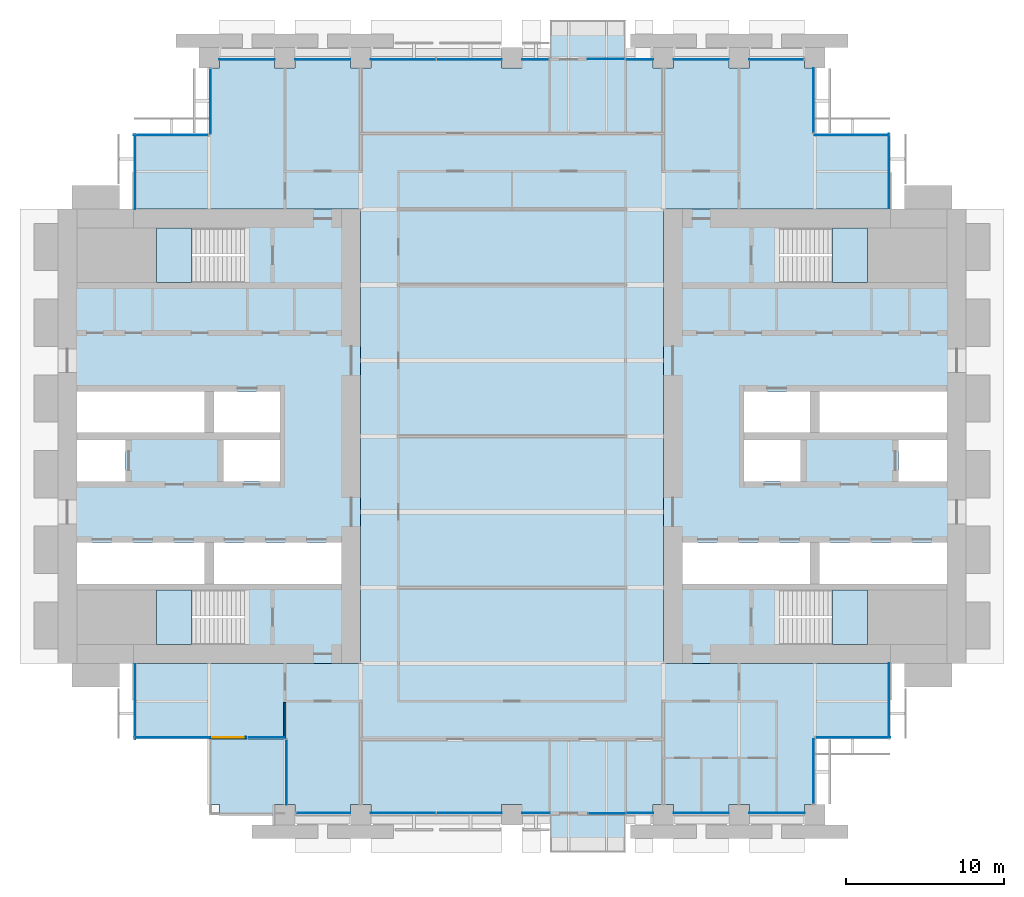
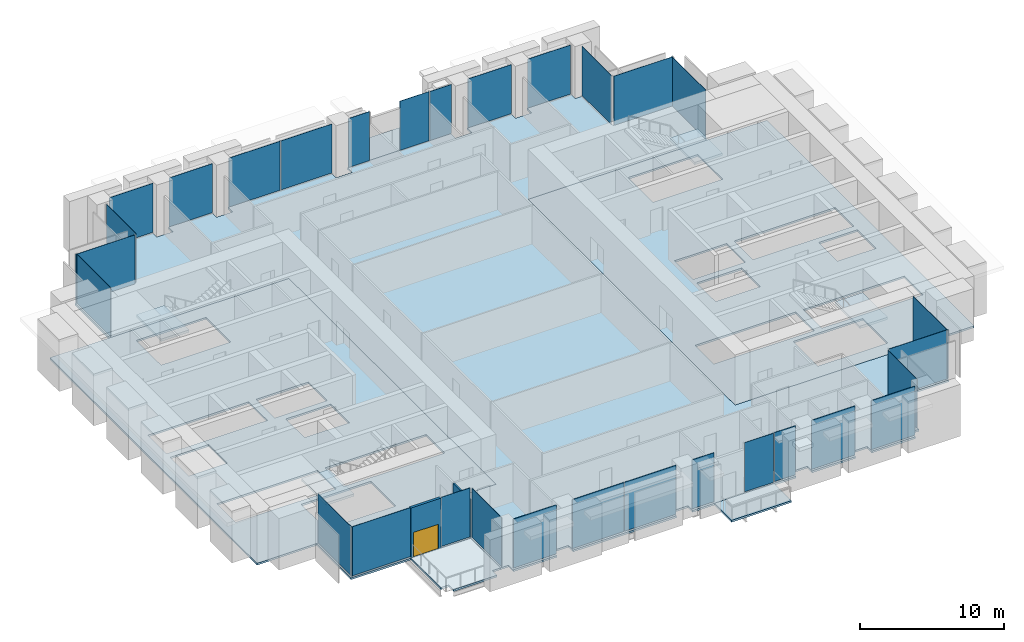
# One storey, part 8 of 15: 30 plates, 10 slabs, 2 walls, 1 door, 1 opening, 23 elements without a shape of their own.
"""IFC4 building model written with IfcOpenShell, lengths in metres."""

from ifc_helpers import new_model, si_unit, direction, frame, frame_2d, origin, origin_2d, place, context, subcontext, project, spatial, polyline, rectangle, outline, extrude, material, layer, layer_set, type_object, element, fill, aggregate, save


model = new_model("IFC4")

# Units and contexts
model_context = context("Model", 3, precision=1e-05, world=origin(), true_north=direction((0.0, 1.0)))
body_context = subcontext(model_context, "Body", "Model", "MODEL_VIEW")
ifc_project = project(units=[si_unit("LENGTHUNIT", "METRE"), si_unit("AREAUNIT", "SQUARE_METRE"), si_unit("VOLUMEUNIT", "CUBIC_METRE"), si_unit("PLANEANGLEUNIT", "RADIAN"), si_unit("MASSUNIT", "GRAM", prefix="KILO")], contexts=[model_context])

# Site, building, storey
site_placement = place(None, origin())
site = spatial("IfcSite", under=ifc_project, at=site_placement, CompositionType="ELEMENT")
building_placement = place(site_placement, origin())
building = spatial("IfcBuilding", under=site, at=building_placement, Name="Baori Bourse Tower", CompositionType="ELEMENT")
storey_placement = place(building_placement, frame((0.0, 0.0, 34.60009765625)))
storey = spatial("IfcBuildingStorey", under=building, at=storey_placement, Name="L06", CompositionType="ELEMENT", Elevation=34.60009765625)

# Slabs
ifc_material_1 = material(Name="Concrete f'c 40 MPa", Category="concrete")
ifc_layer_1 = layer(ifc_material_1, 0.159912109375)
ifc_layer_set_1 = layer_set([ifc_layer_1], Name="BL2 Balcony slab 160")
slab_type_1 = type_object("IfcSlabType", Name="BL2 Balcony slab 160", PredefinedType="FLOOR", material=ifc_layer_set_1)
slab_1_placement = place(storey_placement, frame((0.0, 0.0, -0.16015625)))
element("IfcSlab", 1, at=slab_1_placement, inside=storey, type_object=slab_type_1, Name="Balcony slab L06 S", PredefinedType="FLOOR", context=body_context, shape_type="SweptSolid", body=[
    extrude(outline(polyline([(31.199951171875, 0.0), (31.199951171875, -2.39990234375), (36.0, -2.39990234375), (36.0, 0.0), (31.199951171875, 0.0)])), origin(), (0.0, 0.0, 1.0), 0.16015625),
])
slab_2_placement = place(storey_placement, frame((0.0, 0.0, -0.16015625)))
element("IfcSlab", 2, at=slab_2_placement, inside=storey, type_object=slab_type_1, Name="Balcony slab L06 N", PredefinedType="FLOOR", context=body_context, shape_type="SweptSolid", body=[
    extrude(outline(polyline([(31.199951171875, 48.0), (36.0, 48.0), (36.0, 50.39990234375), (31.199951171875, 50.39990234375), (31.199951171875, 48.0)])), origin(), (0.0, 0.0, 1.0), 0.16015625),
])

# Curtain wall, plates
ifc_material_2 = material(Name="Pale anodised aluminium", Category="aluminium")
curtain_wall_type_1 = type_object("IfcCurtainWallType", Name="CW1 Curtain wall", PredefinedType="NOTDEFINED", material=ifc_material_2)
curtain_wall_1_placement = place(storey_placement, origin())
curtain_wall_1 = element("IfcCurtainWall", 3, at=curtain_wall_1_placement, inside=storey, type_object=curtain_wall_type_1, Name="Curtain wall CW1 L06 4", PredefinedType="NOTDEFINED")
ifc_material_3 = material(Name="Clear glass", Category="glass")
ifc_layer_2 = layer(ifc_material_3, 0.033935546875)
ifc_layer_set_2 = layer_set([ifc_layer_2], Name="CW1 Curtain wall panel")
plate_type_1 = type_object("IfcPlateType", Name="CW1 Curtain wall panel", PredefinedType="CURTAIN_PANEL", material=ifc_layer_set_2)
plate_1_placement = place(storey_placement, frame((45.570068359375, 47.89990234375, 0.080078125), z_axis=(0.0, 0.0, 1.0), x_axis=(-1.0, 0.0, 0.0)))
plate_1 = element("IfcPlate", 4, at=plate_1_placement, type_object=plate_type_1, Name="Curtain wall CW1 panel", PredefinedType="CURTAIN_PANEL", context=body_context, shape_type="SweptSolid", body=[
    extrude(rectangle(XDim=3.43994140625, YDim=0.033935546875, at=origin_2d()), origin(), (0.0, 0.0, 1.0), 4.159912109375),
])
plate_2_placement = place(storey_placement, frame((40.800048828125, 47.89990234375, 0.080078125), z_axis=(0.0, 0.0, 1.0), x_axis=(-1.0, 0.0, 0.0)))
plate_2 = element("IfcPlate", 5, at=plate_2_placement, type_object=plate_type_1, Name="Curtain wall CW1 panel", PredefinedType="CURTAIN_PANEL", context=body_context, shape_type="SweptSolid", body=[
    extrude(rectangle(XDim=3.5, YDim=0.033935546875, at=origin_2d()), origin(), (0.0, 0.0, 1.0), 4.159912109375),
])
plate_3_placement = place(storey_placement, frame((36.875, 47.89990234375, 0.080078125), z_axis=(0.0, 0.0, 1.0), x_axis=(-1.0, 0.0, 0.0)))
plate_3 = element("IfcPlate", 6, at=plate_3_placement, type_object=plate_type_1, Name="Curtain wall CW1 panel", PredefinedType="CURTAIN_PANEL", context=body_context, shape_type="SweptSolid", body=[
    extrude(rectangle(XDim=1.75, YDim=0.033935546875, at=origin_2d()), origin(), (0.0, 0.0, 1.0), 4.159912109375),
])
aggregate(curtain_wall_1, [plate_1, plate_2, plate_3])

curtain_wall_2_placement = place(storey_placement, origin())
curtain_wall_2 = element("IfcCurtainWall", 7, at=curtain_wall_2_placement, inside=storey, type_object=curtain_wall_type_1, Name="Curtain wall CW1 L06 6", PredefinedType="NOTDEFINED")
plate_4_placement = place(storey_placement, frame((30.294921875, 47.89990234375, 0.080078125), z_axis=(0.0, 0.0, 1.0), x_axis=(-1.0, 0.0, 0.0)))
plate_4 = element("IfcPlate", 8, at=plate_4_placement, type_object=plate_type_1, Name="Curtain wall CW1 panel", PredefinedType="CURTAIN_PANEL", context=body_context, shape_type="SweptSolid", body=[
    extrude(rectangle(XDim=1.68994140625, YDim=0.033935546875, at=origin_2d()), origin(), (0.0, 0.0, 1.0), 4.159912109375),
])
plate_5_placement = place(storey_placement, frame((26.090087890625, 47.89990234375, 0.080078125), z_axis=(0.0, 0.0, 1.0), x_axis=(-1.0, 0.0, 0.0)))
plate_5 = element("IfcPlate", 9, at=plate_5_placement, type_object=plate_type_1, Name="Curtain wall CW1 panel", PredefinedType="CURTAIN_PANEL", context=body_context, shape_type="SweptSolid", body=[
    extrude(rectangle(XDim=4.1201171875, YDim=0.033935546875, at=origin_2d()), origin(), (0.0, 0.0, 1.0), 4.159912109375),
])
plate_6_placement = place(storey_placement, frame((21.909912109375, 47.89990234375, 0.080078125), z_axis=(0.0, 0.0, 1.0), x_axis=(-1.0, 0.0, 0.0)))
plate_6 = element("IfcPlate", 10, at=plate_6_placement, type_object=plate_type_1, Name="Curtain wall CW1 panel", PredefinedType="CURTAIN_PANEL", context=body_context, shape_type="SweptSolid", body=[
    extrude(rectangle(XDim=4.1201171875, YDim=0.033935546875, at=origin_2d()), origin(), (0.0, 0.0, 1.0), 4.159912109375),
])
plate_7_placement = place(storey_placement, frame((16.800048828125, 47.89990234375, 0.080078125), z_axis=(0.0, 0.0, 1.0), x_axis=(-1.0, 0.0, 0.0)))
plate_7 = element("IfcPlate", 11, at=plate_7_placement, type_object=plate_type_1, Name="Curtain wall CW1 panel", PredefinedType="CURTAIN_PANEL", context=body_context, shape_type="SweptSolid", body=[
    extrude(rectangle(XDim=3.5, YDim=0.033935546875, at=origin_2d()), origin(), (0.0, 0.0, 1.0), 4.159912109375),
])
plate_8_placement = place(storey_placement, frame((12.0, 47.89990234375, 0.080078125), z_axis=(0.0, 0.0, 1.0), x_axis=(-1.0, 0.0, 0.0)))
plate_8 = element("IfcPlate", 12, at=plate_8_placement, type_object=plate_type_1, Name="Curtain wall CW1 panel", PredefinedType="CURTAIN_PANEL", context=body_context, shape_type="SweptSolid", body=[
    extrude(rectangle(XDim=3.5, YDim=0.033935546875, at=origin_2d()), origin(), (0.0, 0.0, 1.0), 4.159912109375),
])
aggregate(curtain_wall_2, [plate_4, plate_5, plate_6, plate_7, plate_8])

curtain_wall_3_placement = place(storey_placement, origin())
curtain_wall_3 = element("IfcCurtainWall", 13, at=curtain_wall_3_placement, inside=storey, type_object=curtain_wall_type_1, Name="Curtain wall CW1 L06 14", PredefinedType="NOTDEFINED")
plate_9_placement = place(storey_placement, frame((16.830078125, 0.10009765625, 0.080078125), z_axis=(0.0, 0.0, 1.0), x_axis=(1.0, 0.0, 0.0)))
plate_9 = element("IfcPlate", 14, at=plate_9_placement, type_object=plate_type_1, Name="Curtain wall CW1 panel", PredefinedType="CURTAIN_PANEL", context=body_context, shape_type="SweptSolid", body=[
    extrude(rectangle(XDim=3.43994140625, YDim=0.033935546875, at=origin_2d()), origin(), (0.0, 0.0, 1.0), 4.159912109375),
])
plate_10_placement = place(storey_placement, frame((21.909912109375, 0.10009765625, 0.080078125), z_axis=(0.0, 0.0, 1.0), x_axis=(1.0, 0.0, 0.0)))
plate_10 = element("IfcPlate", 15, at=plate_10_placement, type_object=plate_type_1, Name="Curtain wall CW1 panel", PredefinedType="CURTAIN_PANEL", context=body_context, shape_type="SweptSolid", body=[
    extrude(rectangle(XDim=4.1201171875, YDim=0.033935546875, at=origin_2d()), origin(), (0.0, 0.0, 1.0), 4.159912109375),
])
plate_11_placement = place(storey_placement, frame((26.090087890625, 0.10009765625, 0.080078125), z_axis=(0.0, 0.0, 1.0), x_axis=(1.0, 0.0, 0.0)))
plate_11 = element("IfcPlate", 16, at=plate_11_placement, type_object=plate_type_1, Name="Curtain wall CW1 panel", PredefinedType="CURTAIN_PANEL", context=body_context, shape_type="SweptSolid", body=[
    extrude(rectangle(XDim=4.1201171875, YDim=0.033935546875, at=origin_2d()), origin(), (0.0, 0.0, 1.0), 4.159912109375),
])
plate_12_placement = place(storey_placement, frame((30.324951171875, 0.10009765625, 0.080078125), z_axis=(0.0, 0.0, 1.0), x_axis=(1.0, 0.0, 0.0)))
plate_12 = element("IfcPlate", 17, at=plate_12_placement, type_object=plate_type_1, Name="Curtain wall CW1 panel", PredefinedType="CURTAIN_PANEL", context=body_context, shape_type="SweptSolid", body=[
    extrude(rectangle(XDim=1.75, YDim=0.033935546875, at=origin_2d()), origin(), (0.0, 0.0, 1.0), 4.159912109375),
])
aggregate(curtain_wall_3, [plate_9, plate_10, plate_11, plate_12])

curtain_wall_4_placement = place(storey_placement, origin())
curtain_wall_4 = element("IfcCurtainWall", 18, at=curtain_wall_4_placement, inside=storey, type_object=curtain_wall_type_1, Name="Curtain wall CW1 L06 16", PredefinedType="NOTDEFINED")
plate_13_placement = place(storey_placement, frame((36.905029296875, 0.10009765625, 0.080078125), z_axis=(0.0, 0.0, 1.0), x_axis=(1.0, 0.0, 0.0)))
plate_13 = element("IfcPlate", 19, at=plate_13_placement, type_object=plate_type_1, Name="Curtain wall CW1 panel", PredefinedType="CURTAIN_PANEL", context=body_context, shape_type="SweptSolid", body=[
    extrude(rectangle(XDim=1.68994140625, YDim=0.033935546875, at=origin_2d()), origin(), (0.0, 0.0, 1.0), 4.159912109375),
])
plate_14_placement = place(storey_placement, frame((40.800048828125, 0.10009765625, 0.080078125), z_axis=(0.0, 0.0, 1.0), x_axis=(1.0, 0.0, 0.0)))
plate_14 = element("IfcPlate", 20, at=plate_14_placement, type_object=plate_type_1, Name="Curtain wall CW1 panel", PredefinedType="CURTAIN_PANEL", context=body_context, shape_type="SweptSolid", body=[
    extrude(rectangle(XDim=3.5, YDim=0.033935546875, at=origin_2d()), origin(), (0.0, 0.0, 1.0), 4.159912109375),
])
plate_15_placement = place(storey_placement, frame((45.60009765625, 0.10009765625, 0.080078125), z_axis=(0.0, 0.0, 1.0), x_axis=(1.0, 0.0, 0.0)))
plate_15 = element("IfcPlate", 21, at=plate_15_placement, type_object=plate_type_1, Name="Curtain wall CW1 panel", PredefinedType="CURTAIN_PANEL", context=body_context, shape_type="SweptSolid", body=[
    extrude(rectangle(XDim=3.5, YDim=0.033935546875, at=origin_2d()), origin(), (0.0, 0.0, 1.0), 4.159912109375),
])
aggregate(curtain_wall_4, [plate_13, plate_14, plate_15])

# Curtain wall, plate
ifc_material_4 = material(Name="Pale anodised aluminium", Category="aluminium")
curtain_wall_type_2 = type_object("IfcCurtainWallType", Name="CW2 Curtain wall", PredefinedType="NOTDEFINED", material=ifc_material_4)
curtain_wall_5_placement = place(storey_placement, origin())
curtain_wall_5 = element("IfcCurtainWall", 22, at=curtain_wall_5_placement, inside=storey, type_object=curtain_wall_type_2, Name="Curtain wall CW2 L06 1", PredefinedType="NOTDEFINED")
ifc_material_5 = material(Name="Clear glass", Category="glass")
ifc_layer_3 = layer(ifc_material_5, 0.030029296875)
ifc_layer_set_3 = layer_set([ifc_layer_3], Name="CW2 Curtain wall panel")
plate_type_2 = type_object("IfcPlateType", Name="CW2 Curtain wall panel", PredefinedType="CURTAIN_PANEL", material=ifc_layer_set_3)
plate_16_placement = place(storey_placement, frame((52.7099609375, 40.827392578125, 0.06982421875), z_axis=(0.0, 0.0, 1.0), x_axis=(0.0, 1.0, 0.0)))
plate_16 = element("IfcPlate", 23, at=plate_16_placement, type_object=plate_type_2, Name="Curtain wall CW2 panel", PredefinedType="CURTAIN_PANEL", context=body_context, shape_type="SweptSolid", body=[
    extrude(rectangle(XDim=4.7451171875, YDim=0.030029296875, at=origin_2d()), origin(), (0.0, 0.0, 1.0), 4.169921875),
])
aggregate(curtain_wall_5, [plate_16])

curtain_wall_6_placement = place(storey_placement, origin())
curtain_wall_6 = element("IfcCurtainWall", 24, at=curtain_wall_6_placement, inside=storey, type_object=curtain_wall_type_2, Name="Curtain wall CW2 L06 2", PredefinedType="NOTDEFINED")
plate_17_placement = place(storey_placement, frame((50.37255859375, 43.110107421875, 0.06982421875), z_axis=(0.0, 0.0, 1.0), x_axis=(-1.0, 0.0, 0.0)))
plate_17 = element("IfcPlate", 25, at=plate_17_placement, type_object=plate_type_2, Name="Curtain wall CW2 panel", PredefinedType="CURTAIN_PANEL", context=body_context, shape_type="SweptSolid", body=[
    extrude(rectangle(XDim=4.7451171875, YDim=0.030029296875, at=origin_2d()), origin(), (0.0, 0.0, 1.0), 4.169921875),
])
aggregate(curtain_wall_6, [plate_17])

curtain_wall_7_placement = place(storey_placement, origin())
curtain_wall_7 = element("IfcCurtainWall", 26, at=curtain_wall_7_placement, inside=storey, type_object=curtain_wall_type_2, Name="Curtain wall CW2 L06 3", PredefinedType="NOTDEFINED")
plate_18_placement = place(storey_placement, frame((47.909912109375, 45.302490234375, 0.06982421875), z_axis=(0.0, 0.0, 1.0), x_axis=(0.0, 1.0, 0.0)))
plate_18 = element("IfcPlate", 27, at=plate_18_placement, type_object=plate_type_2, Name="Curtain wall CW2 panel", PredefinedType="CURTAIN_PANEL", context=body_context, shape_type="SweptSolid", body=[
    extrude(rectangle(XDim=4.094970703125, YDim=0.030029296875, at=origin_2d()), origin(), (0.0, 0.0, 1.0), 4.169921875),
])
aggregate(curtain_wall_7, [plate_18])

curtain_wall_8_placement = place(storey_placement, origin())
curtain_wall_8 = element("IfcCurtainWall", 28, at=curtain_wall_8_placement, inside=storey, type_object=curtain_wall_type_2, Name="Curtain wall CW2 L06 7", PredefinedType="NOTDEFINED")
plate_19_placement = place(storey_placement, frame((9.68994140625, 45.24755859375, 0.06982421875), z_axis=(0.0, 0.0, 1.0), x_axis=(0.0, -1.0, 0.0)))
plate_19 = element("IfcPlate", 29, at=plate_19_placement, type_object=plate_type_2, Name="Curtain wall CW2 panel", PredefinedType="CURTAIN_PANEL", context=body_context, shape_type="SweptSolid", body=[
    extrude(rectangle(XDim=4.094970703125, YDim=0.030029296875, at=origin_2d()), origin(), (0.0, 0.0, 1.0), 4.169921875),
])
aggregate(curtain_wall_8, [plate_19])

curtain_wall_9_placement = place(storey_placement, origin())
curtain_wall_9 = element("IfcCurtainWall", 30, at=curtain_wall_9_placement, inside=storey, type_object=curtain_wall_type_2, Name="Curtain wall CW2 L06 8", PredefinedType="NOTDEFINED")
plate_20_placement = place(storey_placement, frame((7.172607421875, 43.110107421875, 0.06982421875), z_axis=(0.0, 0.0, 1.0), x_axis=(-1.0, 0.0, 0.0)))
plate_20 = element("IfcPlate", 31, at=plate_20_placement, type_object=plate_type_2, Name="Curtain wall CW2 panel", PredefinedType="CURTAIN_PANEL", context=body_context, shape_type="SweptSolid", body=[
    extrude(rectangle(XDim=4.7451171875, YDim=0.030029296875, at=origin_2d()), origin(), (0.0, 0.0, 1.0), 4.169921875),
])
aggregate(curtain_wall_9, [plate_20])

curtain_wall_10_placement = place(storey_placement, origin())
curtain_wall_10 = element("IfcCurtainWall", 32, at=curtain_wall_10_placement, inside=storey, type_object=curtain_wall_type_2, Name="Curtain wall CW2 L06 9", PredefinedType="NOTDEFINED")
plate_21_placement = place(storey_placement, frame((4.889892578125, 40.7724609375, 0.06982421875), z_axis=(0.0, 0.0, 1.0), x_axis=(0.0, -1.0, 0.0)))
plate_21 = element("IfcPlate", 33, at=plate_21_placement, type_object=plate_type_2, Name="Curtain wall CW2 panel", PredefinedType="CURTAIN_PANEL", context=body_context, shape_type="SweptSolid", body=[
    extrude(rectangle(XDim=4.7451171875, YDim=0.030029296875, at=origin_2d()), origin(), (0.0, 0.0, 1.0), 4.169921875),
])
aggregate(curtain_wall_10, [plate_21])

curtain_wall_11_placement = place(storey_placement, origin())
curtain_wall_11 = element("IfcCurtainWall", 34, at=curtain_wall_11_placement, inside=storey, type_object=curtain_wall_type_2, Name="Curtain wall CW2 L06 10", PredefinedType="NOTDEFINED")
plate_22_placement = place(storey_placement, frame((4.889892578125, 7.172607421875, 0.06982421875), z_axis=(0.0, 0.0, 1.0), x_axis=(0.0, -1.0, 0.0)))
plate_22 = element("IfcPlate", 35, at=plate_22_placement, type_object=plate_type_2, Name="Curtain wall CW2 panel", PredefinedType="CURTAIN_PANEL", context=body_context, shape_type="SweptSolid", body=[
    extrude(rectangle(XDim=4.7451171875, YDim=0.030029296875, at=origin_2d()), origin(), (0.0, 0.0, 1.0), 4.169921875),
])
aggregate(curtain_wall_11, [plate_22])

curtain_wall_12_placement = place(storey_placement, origin())
curtain_wall_12 = element("IfcCurtainWall", 36, at=curtain_wall_12_placement, inside=storey, type_object=curtain_wall_type_2, Name="Curtain wall CW2 L06 11", PredefinedType="NOTDEFINED")
plate_23_placement = place(storey_placement, frame((7.2275390625, 4.889892578125, 0.06982421875), z_axis=(0.0, 0.0, 1.0), x_axis=(1.0, 0.0, 0.0)))
plate_23 = element("IfcPlate", 37, at=plate_23_placement, type_object=plate_type_2, Name="Curtain wall CW2 panel", PredefinedType="CURTAIN_PANEL", context=body_context, shape_type="SweptSolid", body=[
    extrude(rectangle(XDim=4.7451171875, YDim=0.030029296875, at=origin_2d()), origin(), (0.0, 0.0, 1.0), 4.169921875),
])
aggregate(curtain_wall_12, [plate_23])

curtain_wall_13_placement = place(storey_placement, origin())
curtain_wall_13 = element("IfcCurtainWall", 38, at=curtain_wall_13_placement, inside=storey, type_object=curtain_wall_type_2, Name="Curtain wall CW2 L06 12", PredefinedType="NOTDEFINED")
plate_24_placement = place(storey_placement, frame((13.2275390625, 4.889892578125, 0.06982421875), z_axis=(0.0, 0.0, 1.0), x_axis=(1.0, 0.0, 0.0)))
plate_24 = element("IfcPlate", 39, at=plate_24_placement, type_object=plate_type_2, Name="Curtain wall CW2 panel", PredefinedType="CURTAIN_PANEL", context=body_context, shape_type="SweptSolid", body=[
    extrude(rectangle(XDim=2.344970703125, YDim=0.030029296875, at=origin_2d()), origin(), (0.0, 0.0, 1.0), 4.169921875),
])
aggregate(curtain_wall_13, [plate_24])

curtain_wall_14_placement = place(storey_placement, origin())
curtain_wall_14 = element("IfcCurtainWall", 40, at=curtain_wall_14_placement, inside=storey, type_object=curtain_wall_type_2, Name="Curtain wall CW2 L06 13", PredefinedType="NOTDEFINED")
plate_25_placement = place(storey_placement, frame((14.489990234375, 2.697509765625, 0.06982421875), z_axis=(0.0, 0.0, 1.0), x_axis=(0.0, -1.0, 0.0)))
plate_25 = element("IfcPlate", 41, at=plate_25_placement, type_object=plate_type_2, Name="Curtain wall CW2 panel", PredefinedType="CURTAIN_PANEL", context=body_context, shape_type="SweptSolid", body=[
    extrude(rectangle(XDim=4.094970703125, YDim=0.030029296875, at=origin_2d()), origin(), (0.0, 0.0, 1.0), 4.169921875),
])
aggregate(curtain_wall_14, [plate_25])

curtain_wall_15_placement = place(storey_placement, origin())
curtain_wall_15 = element("IfcCurtainWall", 42, at=curtain_wall_15_placement, inside=storey, type_object=curtain_wall_type_2, Name="Curtain wall CW2 L06 17", PredefinedType="NOTDEFINED")
plate_26_placement = place(storey_placement, frame((47.909912109375, 2.75244140625, 0.06982421875), z_axis=(0.0, 0.0, 1.0), x_axis=(0.0, 1.0, 0.0)))
plate_26 = element("IfcPlate", 43, at=plate_26_placement, type_object=plate_type_2, Name="Curtain wall CW2 panel", PredefinedType="CURTAIN_PANEL", context=body_context, shape_type="SweptSolid", body=[
    extrude(rectangle(XDim=4.094970703125, YDim=0.030029296875, at=origin_2d()), origin(), (0.0, 0.0, 1.0), 4.169921875),
])
aggregate(curtain_wall_15, [plate_26])

curtain_wall_16_placement = place(storey_placement, origin())
curtain_wall_16 = element("IfcCurtainWall", 44, at=curtain_wall_16_placement, inside=storey, type_object=curtain_wall_type_2, Name="Curtain wall CW2 L06 18", PredefinedType="NOTDEFINED")
plate_27_placement = place(storey_placement, frame((50.427490234375, 4.889892578125, 0.06982421875), z_axis=(0.0, 0.0, 1.0), x_axis=(1.0, 0.0, 0.0)))
plate_27 = element("IfcPlate", 45, at=plate_27_placement, type_object=plate_type_2, Name="Curtain wall CW2 panel", PredefinedType="CURTAIN_PANEL", context=body_context, shape_type="SweptSolid", body=[
    extrude(rectangle(XDim=4.7451171875, YDim=0.030029296875, at=origin_2d()), origin(), (0.0, 0.0, 1.0), 4.169921875),
])
aggregate(curtain_wall_16, [plate_27])

curtain_wall_17_placement = place(storey_placement, origin())
curtain_wall_17 = element("IfcCurtainWall", 46, at=curtain_wall_17_placement, inside=storey, type_object=curtain_wall_type_2, Name="Curtain wall CW2 L06 19", PredefinedType="NOTDEFINED")
plate_28_placement = place(storey_placement, frame((52.7099609375, 7.2275390625, 0.06982421875), z_axis=(0.0, 0.0, 1.0), x_axis=(0.0, 1.0, 0.0)))
plate_28 = element("IfcPlate", 47, at=plate_28_placement, type_object=plate_type_2, Name="Curtain wall CW2 panel", PredefinedType="CURTAIN_PANEL", context=body_context, shape_type="SweptSolid", body=[
    extrude(rectangle(XDim=4.7451171875, YDim=0.030029296875, at=origin_2d()), origin(), (0.0, 0.0, 1.0), 4.169921875),
])
aggregate(curtain_wall_17, [plate_28])

ifc_material_6 = material(Name="Pale anodised aluminium", Category="aluminium")
curtain_wall_type_3 = type_object("IfcCurtainWallType", Name="CW6 Curtain wall", PredefinedType="NOTDEFINED", material=ifc_material_6)
curtain_wall_18_placement = place(storey_placement, origin())
curtain_wall_18 = element("IfcCurtainWall", 48, at=curtain_wall_18_placement, inside=storey, type_object=curtain_wall_type_3, Name="Curtain wall CW6 L06 5", PredefinedType="NOTDEFINED")
ifc_material_7 = material(Name="Clear glass", Category="glass")
ifc_layer_4 = layer(ifc_material_7, 0.028076171875)
ifc_layer_set_4 = layer_set([ifc_layer_4], Name="CW6 Curtain wall panel")
plate_type_3 = type_object("IfcPlateType", Name="CW6 Curtain wall panel", PredefinedType="CURTAIN_PANEL", material=ifc_layer_set_4)
plate_29_placement = place(storey_placement, frame((34.77490234375, 47.925048828125, 0.06494140625), z_axis=(0.0, 0.0, 1.0), x_axis=(-1.0, 0.0, 0.0)))
plate_29 = element("IfcPlate", 49, at=plate_29_placement, type_object=plate_type_3, Name="Curtain wall CW6 panel", PredefinedType="CURTAIN_PANEL", context=body_context, shape_type="SweptSolid", body=[
    extrude(rectangle(XDim=2.35009765625, YDim=0.028076171875, at=origin_2d()), origin(), (0.0, 0.0, 1.0), 4.175048828125),
])
aggregate(curtain_wall_18, [plate_29])

curtain_wall_19_placement = place(storey_placement, origin())
curtain_wall_19 = element("IfcCurtainWall", 50, at=curtain_wall_19_placement, inside=storey, type_object=curtain_wall_type_3, Name="Curtain wall CW6 L06 15", PredefinedType="NOTDEFINED")
plate_30_placement = place(storey_placement, frame((34.824951171875, 0.074951171875, 0.06494140625), z_axis=(0.0, 0.0, 1.0), x_axis=(1.0, 0.0, 0.0)))
plate_30 = element("IfcPlate", 51, at=plate_30_placement, type_object=plate_type_3, Name="Curtain wall CW6 panel", PredefinedType="CURTAIN_PANEL", context=body_context, shape_type="SweptSolid", body=[
    extrude(rectangle(XDim=2.35009765625, YDim=0.028076171875, at=origin_2d()), origin(), (0.0, 0.0, 1.0), 4.175048828125),
])
aggregate(curtain_wall_19, [plate_30])

# Slabs
ifc_material_8 = material(Name="Concrete f'c 50 MPa", Category="concrete")
ifc_layer_5 = layer(ifc_material_8, 0.159912109375)
ifc_layer_set_5 = layer_set([ifc_layer_5], Name="Core slab 160")
slab_type_2 = type_object("IfcSlabType", Name="Core slab 160", PredefinedType="FLOOR", material=ifc_layer_set_5)
slab_3_placement = place(storey_placement, frame((0.0, 0.0, -0.16015625)))
element("IfcSlab", 52, at=slab_3_placement, inside=storey, type_object=slab_type_2, Name="Core floor slab W01", PredefinedType="FLOOR", context=body_context, shape_type="SweptSolid", body=[
    extrude(outline(polyline([(19.199951171875, 9.60009765625), (19.199951171875, 38.39990234375), (0.0, 38.39990234375), (0.0, 9.60009765625), (19.199951171875, 9.60009765625)]), holes=[polyline([(9.89990234375, 14.64990234375), (9.89990234375, 17.25), (18.0, 17.25), (18.0, 14.64990234375), (9.89990234375, 14.64990234375)]), polyline([(10.5, 21.14990234375), (10.5, 23.75), (14.10009765625, 23.75), (14.10009765625, 21.14990234375), (10.5, 21.14990234375)]), polyline([(14.10009765625, 24.25), (9.89990234375, 24.25), (9.89990234375, 26.85009765625), (14.10009765625, 26.85009765625), (14.10009765625, 24.25)]), polyline([(6.25, 14.25), (11.84912109375, 14.25), (11.84912109375, 10.800048828125), (6.25, 10.800048828125), (6.25, 14.25)]), polyline([(11.84912109375, 37.199951171875), (11.84912109375, 33.75), (6.25, 33.75), (6.25, 37.199951171875), (11.84912109375, 37.199951171875)]), polyline([(1.199951171875, 26.85009765625), (9.300048828125, 26.85009765625), (9.300048828125, 24.25), (1.199951171875, 24.25), (1.199951171875, 26.85009765625)]), polyline([(9.300048828125, 14.64990234375), (1.199951171875, 14.64990234375), (1.199951171875, 17.25), (9.300048828125, 17.25), (9.300048828125, 14.64990234375)]), polyline([(4.300048828125, 23.75), (4.300048828125, 21.14990234375), (1.199951171875, 21.14990234375), (1.199951171875, 23.75), (4.300048828125, 23.75)])]), origin(), (0.0, 0.0, 1.0), 0.16015625),
])
slab_4_placement = place(storey_placement, frame((0.0, 0.0, -0.16015625)))
element("IfcSlab", 53, at=slab_4_placement, inside=storey, type_object=slab_type_2, Name="Core floor slab E01", PredefinedType="FLOOR", context=body_context, shape_type="SweptSolid", body=[
    extrude(outline(polyline([(38.39990234375, 9.60009765625), (57.60009765625, 9.60009765625), (57.60009765625, 38.39990234375), (38.39990234375, 38.39990234375), (38.39990234375, 9.60009765625)]), holes=[polyline([(48.300048828125, 14.64990234375), (48.300048828125, 17.25), (56.39990234375, 17.25), (56.39990234375, 14.64990234375), (48.300048828125, 14.64990234375)]), polyline([(56.39990234375, 21.14990234375), (53.300048828125, 21.14990234375), (53.300048828125, 23.75), (56.39990234375, 23.75), (56.39990234375, 21.14990234375)]), polyline([(56.39990234375, 26.85009765625), (56.39990234375, 24.25), (48.300048828125, 24.25), (48.300048828125, 26.85009765625), (56.39990234375, 26.85009765625)]), polyline([(45.750732421875, 14.25), (51.35009765625, 14.25), (51.35009765625, 10.800048828125), (45.750732421875, 10.800048828125), (45.750732421875, 14.25)]), polyline([(51.35009765625, 37.199951171875), (51.35009765625, 33.75), (45.750732421875, 33.75), (45.750732421875, 37.199951171875), (51.35009765625, 37.199951171875)]), polyline([(39.60009765625, 17.25), (47.699951171875, 17.25), (47.699951171875, 14.64990234375), (39.60009765625, 14.64990234375), (39.60009765625, 17.25)]), polyline([(43.5, 24.25), (43.5, 26.85009765625), (47.699951171875, 26.85009765625), (47.699951171875, 24.25), (43.5, 24.25)]), polyline([(43.5, 23.75), (47.10009765625, 23.75), (47.10009765625, 21.14990234375), (43.5, 21.14990234375), (43.5, 23.75)])]), origin(), (0.0, 0.0, 1.0), 0.16015625),
])

# Stair, slab
ifc_material_9 = material(Name="Concrete f'c 50 MPa", Category="concrete")
stair_type = type_object("IfcStairType", Name="Core stair", PredefinedType="HALF_TURN_STAIR", material=ifc_material_9)
stair_1_placement = place(storey_placement, origin())
stair_1 = element("IfcStair", 54, at=stair_1_placement, inside=storey, type_object=stair_type, Name="L06 Stair WA", PredefinedType="HALF_TURN_STAIR")
ifc_material_10 = material(Name="Concrete f'c 50 MPa", Category="concrete")
slab_type_3 = type_object("IfcSlabType", Name="Core stair landing", PredefinedType="LANDING", material=ifc_material_10)
slab_5_placement = place(storey_placement, frame((0.0, 0.0, 2.0)))
slab_5 = element("IfcSlab", 55, at=slab_5_placement, type_object=slab_type_3, Name="ST1 landing 1", PredefinedType="LANDING", context=body_context, shape_type="SweptSolid", body=[
    extrude(outline(polyline([(8.489990234375, 14.25), (6.25, 14.25), (6.25, 10.800048828125), (8.489990234375, 10.800048828125), (8.489990234375, 14.25)])), origin(), (0.0, 0.0, 1.0), 0.199951171875),
])
aggregate(stair_1, [slab_5])

stair_2_placement = place(storey_placement, origin())
stair_2 = element("IfcStair", 56, at=stair_2_placement, inside=storey, type_object=stair_type, Name="L06 Stair WB", PredefinedType="HALF_TURN_STAIR")
slab_6_placement = place(storey_placement, frame((0.0, 0.0, 2.0)))
slab_6 = element("IfcSlab", 57, at=slab_6_placement, type_object=slab_type_3, Name="ST2 landing 1", PredefinedType="LANDING", context=body_context, shape_type="SweptSolid", body=[
    extrude(outline(polyline([(8.489990234375, 37.199951171875), (6.25, 37.199951171875), (6.25, 33.75), (8.489990234375, 33.75), (8.489990234375, 37.199951171875)])), origin(), (0.0, 0.0, 1.0), 0.199951171875),
])
aggregate(stair_2, [slab_6])

stair_3_placement = place(storey_placement, origin())
stair_3 = element("IfcStair", 58, at=stair_3_placement, inside=storey, type_object=stair_type, Name="L06 Stair EA", PredefinedType="HALF_TURN_STAIR")
slab_7_placement = place(storey_placement, frame((0.0, 0.0, 2.0)))
slab_7 = element("IfcSlab", 59, at=slab_7_placement, type_object=slab_type_3, Name="ST3 landing 1", PredefinedType="LANDING", context=body_context, shape_type="SweptSolid", body=[
    extrude(outline(polyline([(49.110107421875, 10.800048828125), (51.35009765625, 10.800048828125), (51.35009765625, 14.25), (49.110107421875, 14.25), (49.110107421875, 10.800048828125)])), origin(), (0.0, 0.0, 1.0), 0.199951171875),
])
aggregate(stair_3, [slab_7])

stair_4_placement = place(storey_placement, origin())
stair_4 = element("IfcStair", 60, at=stair_4_placement, inside=storey, type_object=stair_type, Name="L06 Stair EB", PredefinedType="HALF_TURN_STAIR")
slab_8_placement = place(storey_placement, frame((0.0, 0.0, 2.0)))
slab_8 = element("IfcSlab", 61, at=slab_8_placement, type_object=slab_type_3, Name="ST4 landing 1", PredefinedType="LANDING", context=body_context, shape_type="SweptSolid", body=[
    extrude(outline(polyline([(49.110107421875, 33.75), (51.35009765625, 33.75), (51.35009765625, 37.199951171875), (49.110107421875, 37.199951171875), (49.110107421875, 33.75)])), origin(), (0.0, 0.0, 1.0), 0.199951171875),
])
aggregate(stair_4, [slab_8])

# Slabs
ifc_material_11 = material(Name="Concrete f'c 40 MPa", Category="concrete")
ifc_layer_6 = layer(ifc_material_11, 0.159912109375)
ifc_layer_set_6 = layer_set([ifc_layer_6], Name="Floor slab 160")
slab_type_4 = type_object("IfcSlabType", Name="Floor slab 160", PredefinedType="FLOOR", material=ifc_layer_set_6)
slab_9_placement = place(storey_placement, frame((0.0, 0.0, -0.16015625)))
element("IfcSlab", 62, at=slab_9_placement, inside=storey, type_object=slab_type_4, Name="Floor slab L06", PredefinedType="FLOOR", context=body_context, shape_type="SweptSolid", body=[
    extrude(outline(polyline([(14.39990234375, 4.800048828125), (4.800048828125, 4.800048828125), (4.800048828125, 9.60009765625), (19.199951171875, 9.60009765625), (19.199951171875, 38.39990234375), (4.800048828125, 38.39990234375), (4.800048828125, 43.199951171875), (9.60009765625, 43.199951171875), (9.60009765625, 47.35009765625), (10.25, 47.35009765625), (10.25, 48.0), (13.75, 48.0), (13.75, 47.35009765625), (15.050048828125, 47.35009765625), (15.050048828125, 48.0), (18.550048828125, 48.0), (18.550048828125, 47.35009765625), (19.85009765625, 47.35009765625), (19.85009765625, 48.0), (28.14990234375, 48.0), (28.14990234375, 47.35009765625), (29.449951171875, 47.35009765625), (29.449951171875, 48.0), (37.75, 48.0), (37.75, 47.35009765625), (39.050048828125, 47.35009765625), (39.050048828125, 48.0), (42.550048828125, 48.0), (42.550048828125, 47.35009765625), (43.85009765625, 47.35009765625), (43.85009765625, 48.0), (47.35009765625, 48.0), (47.35009765625, 47.35009765625), (48.0, 47.35009765625), (48.0, 43.199951171875), (52.800048828125, 43.199951171875), (52.800048828125, 38.39990234375), (38.39990234375, 38.39990234375), (38.39990234375, 9.60009765625), (52.800048828125, 9.60009765625), (52.800048828125, 4.800048828125), (48.0, 4.800048828125), (48.0, 0.64990234375), (47.35009765625, 0.64990234375), (47.35009765625, 0.0), (43.85009765625, 0.0), (43.85009765625, 0.64990234375), (42.550048828125, 0.64990234375), (42.550048828125, 0.0), (39.050048828125, 0.0), (39.050048828125, 0.64990234375), (37.75, 0.64990234375), (37.75, 0.0), (29.449951171875, 0.0), (29.449951171875, 0.64990234375), (28.14990234375, 0.64990234375), (28.14990234375, 0.0), (19.85009765625, 0.0), (19.85009765625, 0.64990234375), (18.550048828125, 0.64990234375), (18.550048828125, 0.0), (15.050048828125, 0.0), (15.050048828125, 0.64990234375), (14.39990234375, 0.64990234375), (14.39990234375, 4.800048828125)])), origin(), (0.0, 0.0, 1.0), 0.16015625),
])
ifc_material_12 = material(Name="Concrete f'c 40 MPa", Category="concrete")
ifc_layer_7 = layer(ifc_material_12, 0.159912109375)
ifc_layer_set_7 = layer_set([ifc_layer_7], Name="Terrace slab 160")
slab_type_5 = type_object("IfcSlabType", Name="Terrace slab 160", PredefinedType="ROOF", material=ifc_layer_set_7)
slab_10_placement = place(storey_placement, frame((0.0, 0.0, -0.16015625)))
element("IfcSlab", 63, at=slab_10_placement, inside=storey, type_object=slab_type_5, Name="Terrace slab SW L06", PredefinedType="ROOF", context=body_context, shape_type="SweptSolid", body=[
    extrude(outline(polyline([(14.39697265625, 0.64990234375), (13.75, 0.64990234375), (13.75, 0.0029296875), (10.25, 0.0029296875), (10.25, 0.64990234375), (9.60302734375, 0.64990234375), (9.60302734375, 4.797119140625), (14.39697265625, 4.797119140625), (14.39697265625, 0.64990234375)])), origin(), (0.0, 0.0, 1.0), 0.16015625),
])

# Wall, opening, door
ifc_material_13 = material(Name="Pale anodised aluminium", Category="aluminium")
ifc_layer_8 = layer(ifc_material_13, 0.199951171875)
ifc_layer_set_8 = layer_set([ifc_layer_8], Name="EW1 External wall bay")
wall_type_1 = type_object("IfcWallType", Name="EW1 External wall bay", PredefinedType="SOLIDWALL", material=ifc_layer_set_8)
wall_1_placement = place(storey_placement, frame((9.60009765625, 4.89990234375, 0.0), z_axis=(0.0, 0.0, 1.0), x_axis=(1.0, 0.0, 0.0)))
wall_1 = element("IfcWall", 64, at=wall_1_placement, inside=storey, type_object=wall_type_1, Name="External wall bay L06 2", PredefinedType="SOLIDWALL", context=body_context, shape_type="SweptSolid", body=[
    extrude(rectangle(XDim=2.39990234375, YDim=0.199951171875, at=frame_2d((1.199951171875, 0.0))), origin(), (0.0, 0.0, 1.0), 4.239990234375),
])
opening_placement = place(wall_1_placement, frame((0.199951171875, 0.0, 0.0)))
opening = element("IfcOpeningElement", 65, at=opening_placement, cuts=wall_1, Name="Opening L06-D92", PredefinedType="OPENING", context=body_context, shape_type="SweptSolid", body=[
    extrude(rectangle(XDim=2.0, YDim=2.10009765625, at=frame_2d((1.0, 1.050048828125))), frame((0.0, 0.10986328125, 0.0), z_axis=(0.0, -1.0, 0.0), x_axis=(1.0, 0.0, 0.0)), (0.0, 0.0, 1.0), 0.219970703125),
])
ifc_material_14 = material(Name="Pale anodised aluminium", Category="aluminium")
door_type = type_object("IfcDoorType", Name="TR1 Terrace door", OperationType="DOUBLE_DOOR_SINGLE_SWING", PredefinedType="DOOR", material=ifc_material_14)
door_placement = place(opening_placement, origin())
door = element("IfcDoor", 66, at=door_placement, inside=storey, type_object=door_type, Name="Terrace door L06 2", OperationType="SINGLE_SWING_LEFT", OverallHeight=2.10009765625, OverallWidth=2.0, PredefinedType="DOOR", context=body_context, shape_type="SweptSolid", body=[
    extrude(rectangle(XDim=2.0, YDim=2.10009765625, at=frame_2d((1.0, 1.050048828125))), frame((0.0, 0.02490234375, 0.0), z_axis=(0.0, -1.0, 0.0), x_axis=(1.0, 0.0, 0.0)), (0.0, 0.0, 1.0), 0.050048828125),
])
fill(opening, door)

# Wall
ifc_material_15 = material(Name="Gypsum board partition")
ifc_layer_9 = layer(ifc_material_15, 0.125)
ifc_layer_set_9 = layer_set([ifc_layer_9], Name="Partition 125")
wall_type_2 = type_object("IfcWallType", Name="Partition 125", PredefinedType="PARTITIONING", material=ifc_layer_set_9)
wall_2_placement = place(storey_placement, frame((14.39990234375, 4.89990234375, 0.0), z_axis=(0.0, 0.0, 1.0), x_axis=(0.0, 1.0, 0.0)))
element("IfcWall", 67, at=wall_2_placement, inside=storey, type_object=wall_type_2, Name="Partition", PredefinedType="PARTITIONING", context=body_context, shape_type="SweptSolid", body=[
    extrude(rectangle(XDim=2.22509765625, YDim=0.125, at=frame_2d((1.112548828125, 0.0))), origin(), (0.0, 0.0, 1.0), 3.26953125),
])

save(model, "model.ifc")
